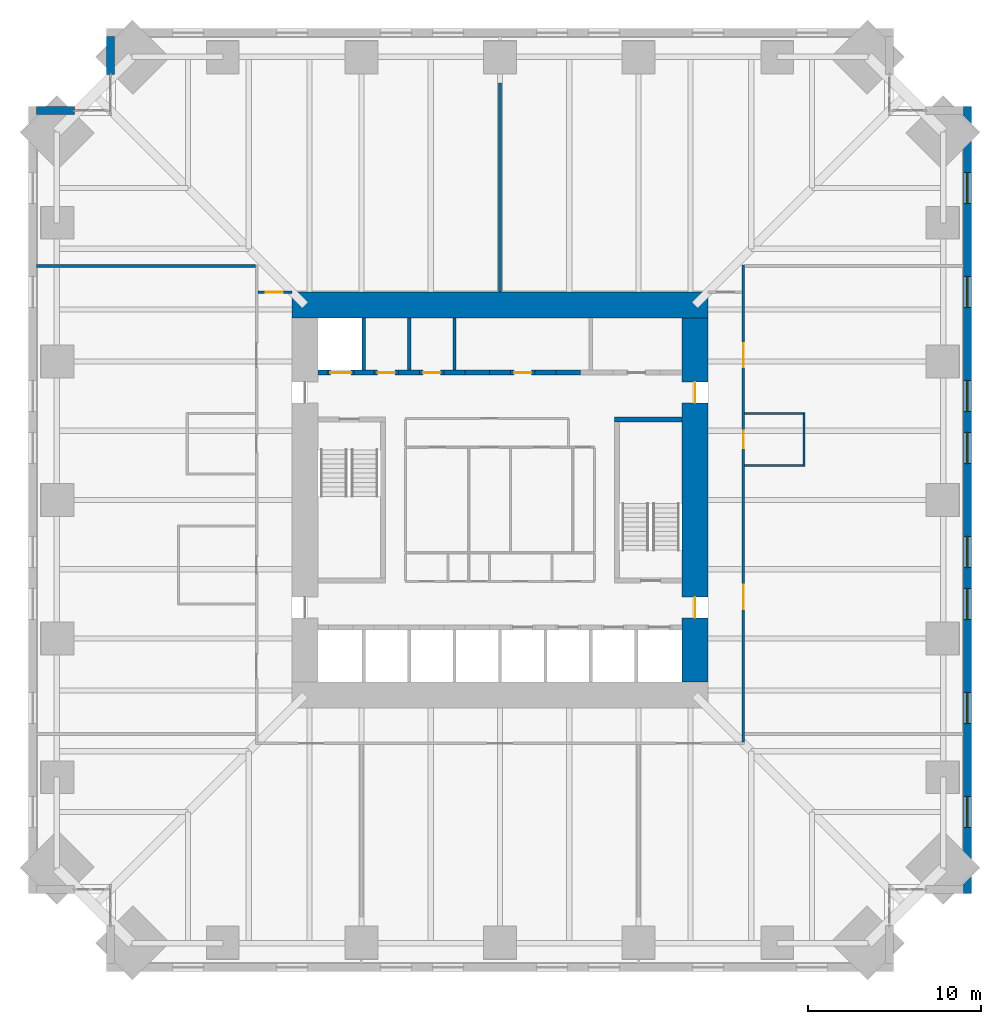
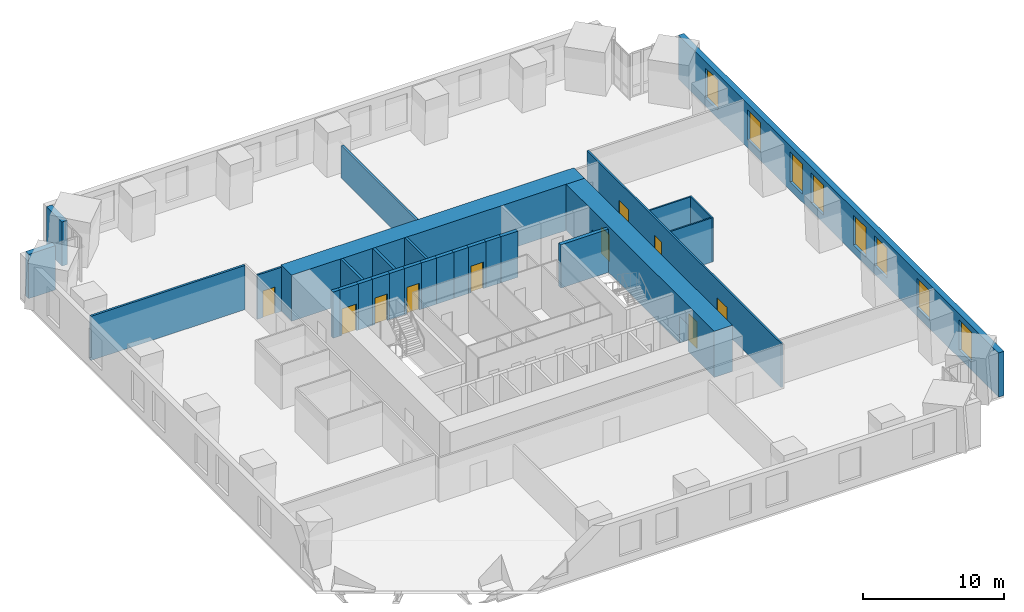
# One storey, part 14 of 16: 28 walls, 10 doors, 8 windows, 18 openings.
"""IFC4 building model written with IfcOpenShell, lengths in metres."""

from ifc_helpers import new_model, si_unit, direction, frame, frame_2d, origin, place, context, subcontext, project, spatial, rectangle, extrude, material, layer, layer_set, type_object, element, fill, save


model = new_model("IFC4")

# Units and contexts
model_context = context("Model", 3, precision=1e-05, world=origin(), true_north=direction((0.0, 1.0)))
body_context = subcontext(model_context, "Body", "Model", "MODEL_VIEW")
ifc_project = project(units=[si_unit("LENGTHUNIT", "METRE"), si_unit("AREAUNIT", "SQUARE_METRE"), si_unit("VOLUMEUNIT", "CUBIC_METRE"), si_unit("PLANEANGLEUNIT", "RADIAN"), si_unit("MASSUNIT", "GRAM", prefix="KILO")], contexts=[model_context])

# Site, building, storey
site_placement = place(None, origin())
site = spatial("IfcSite", under=ifc_project, at=site_placement, CompositionType="ELEMENT")
building_placement = place(site_placement, origin())
building = spatial("IfcBuilding", under=site, at=building_placement, Name="Peilmerk Tower", CompositionType="ELEMENT")
storey_placement = place(building_placement, frame((0.0, 0.0, 131.800048828125)))
storey = spatial("IfcBuildingStorey", under=building, at=storey_placement, Name="L26", CompositionType="ELEMENT", Elevation=131.800048828125)

# Wall, openings, windows
ifc_material_1 = material(Name="Precast concrete C45/55, board-marked finish", Category="concrete")
ifc_layer_1 = layer(ifc_material_1, 0.449951171875)
ifc_layer_set_1 = layer_set([ifc_layer_1], Name="Precast concrete C45/55, board-marked finish")
wall_type_1 = type_object("IfcWallType", Name="EW1 450 precast concrete facade wall, board-marked", PredefinedType="SOLIDWALL", material=ifc_layer_set_1)
wall_1_placement = place(storey_placement, frame((26.97509765625, -22.699951171875, 0.0), z_axis=(0.0, 0.0, 1.0), x_axis=(0.0, 1.0, 0.0)))
wall_1 = element("IfcWall", 1, at=wall_1_placement, inside=storey, type_object=wall_type_1, Name="Facade wall E L26", PredefinedType="SOLIDWALL", context=body_context, shape_type="SweptSolid", body=[
    extrude(rectangle(XDim=45.39990234375, YDim=0.449951171875, at=frame_2d((22.699951171875, 0.0))), origin(), (0.0, 0.0, 1.0), 3.829833984375),
])
opening_1_placement = place(wall_1_placement, frame((3.800048828125, 0.0, 0.699951171875)))
opening_1 = element("IfcOpeningElement", 2, at=opening_1_placement, cuts=wall_1, Name="Opening W1", PredefinedType="OPENING", context=body_context, shape_type="SweptSolid", body=[
    extrude(rectangle(XDim=1.800048828125, YDim=2.60009765625, at=frame_2d((0.89990234375, 1.300048828125))), frame((0.0, 0.23486328125, 0.0), z_axis=(0.0, -1.0, 0.0), x_axis=(1.0, 0.0, 0.0)), (0.0, 0.0, 1.0), 0.469970703125),
])
opening_2_placement = place(wall_1_placement, frame((9.800048828125, 0.0, 0.699951171875)))
opening_2 = element("IfcOpeningElement", 3, at=opening_2_placement, cuts=wall_1, Name="Opening W1", PredefinedType="OPENING", context=body_context, shape_type="SweptSolid", body=[
    extrude(rectangle(XDim=1.800048828125, YDim=2.60009765625, at=frame_2d((0.89990234375, 1.300048828125))), frame((0.0, 0.23486328125, 0.0), z_axis=(0.0, -1.0, 0.0), x_axis=(1.0, 0.0, 0.0)), (0.0, 0.0, 1.0), 0.469970703125),
])
opening_3_placement = place(wall_1_placement, frame((15.800048828125, 0.0, 0.699951171875)))
opening_3 = element("IfcOpeningElement", 4, at=opening_3_placement, cuts=wall_1, Name="Opening W1", PredefinedType="OPENING", context=body_context, shape_type="SweptSolid", body=[
    extrude(rectangle(XDim=1.800048828125, YDim=2.60009765625, at=frame_2d((0.89990234375, 1.300048828125))), frame((0.0, 0.23486328125, 0.0), z_axis=(0.0, -1.0, 0.0), x_axis=(1.0, 0.0, 0.0)), (0.0, 0.0, 1.0), 0.469970703125),
])
opening_4_placement = place(wall_1_placement, frame((18.800048828125, 0.0, 0.699951171875)))
opening_4 = element("IfcOpeningElement", 5, at=opening_4_placement, cuts=wall_1, Name="Opening W1", PredefinedType="OPENING", context=body_context, shape_type="SweptSolid", body=[
    extrude(rectangle(XDim=1.800048828125, YDim=2.60009765625, at=frame_2d((0.89990234375, 1.300048828125))), frame((0.0, 0.23486328125, 0.0), z_axis=(0.0, -1.0, 0.0), x_axis=(1.0, 0.0, 0.0)), (0.0, 0.0, 1.0), 0.469970703125),
])
opening_5_placement = place(wall_1_placement, frame((24.800048828125, 0.0, 0.699951171875)))
opening_5 = element("IfcOpeningElement", 6, at=opening_5_placement, cuts=wall_1, Name="Opening W1", PredefinedType="OPENING", context=body_context, shape_type="SweptSolid", body=[
    extrude(rectangle(XDim=1.800048828125, YDim=2.60009765625, at=frame_2d((0.89990234375, 1.300048828125))), frame((0.0, 0.23486328125, 0.0), z_axis=(0.0, -1.0, 0.0), x_axis=(1.0, 0.0, 0.0)), (0.0, 0.0, 1.0), 0.469970703125),
])
opening_6_placement = place(wall_1_placement, frame((27.800048828125, 0.0, 0.699951171875)))
opening_6 = element("IfcOpeningElement", 7, at=opening_6_placement, cuts=wall_1, Name="Opening W1", PredefinedType="OPENING", context=body_context, shape_type="SweptSolid", body=[
    extrude(rectangle(XDim=1.800048828125, YDim=2.60009765625, at=frame_2d((0.89990234375, 1.300048828125))), frame((0.0, 0.23486328125, 0.0), z_axis=(0.0, -1.0, 0.0), x_axis=(1.0, 0.0, 0.0)), (0.0, 0.0, 1.0), 0.469970703125),
])
opening_7_placement = place(wall_1_placement, frame((33.800048828125, 0.0, 0.699951171875)))
opening_7 = element("IfcOpeningElement", 8, at=opening_7_placement, cuts=wall_1, Name="Opening W1", PredefinedType="OPENING", context=body_context, shape_type="SweptSolid", body=[
    extrude(rectangle(XDim=1.800048828125, YDim=2.60009765625, at=frame_2d((0.89990234375, 1.300048828125))), frame((0.0, 0.23486328125, 0.0), z_axis=(0.0, -1.0, 0.0), x_axis=(1.0, 0.0, 0.0)), (0.0, 0.0, 1.0), 0.469970703125),
])
opening_8_placement = place(wall_1_placement, frame((39.800048828125, 0.0, 0.699951171875)))
opening_8 = element("IfcOpeningElement", 9, at=opening_8_placement, cuts=wall_1, Name="Opening W1", PredefinedType="OPENING", context=body_context, shape_type="SweptSolid", body=[
    extrude(rectangle(XDim=1.800048828125, YDim=2.60009765625, at=frame_2d((0.89990234375, 1.300048828125))), frame((0.0, 0.23486328125, 0.0), z_axis=(0.0, -1.0, 0.0), x_axis=(1.0, 0.0, 0.0)), (0.0, 0.0, 1.0), 0.469970703125),
])
ifc_material_2 = material(Name="Aluminium frame, clear double glazing", Category="aluminium")
window_type = type_object("IfcWindowType", Name="W1 1800x2600 office window", PartitioningType="SINGLE_PANEL", PredefinedType="WINDOW", material=ifc_material_2)
window_1_placement = place(opening_1_placement, origin())
window_1 = element("IfcWindow", 10, at=window_1_placement, inside=storey, type_object=window_type, Name="Window W1 L26", OverallHeight=2.60009765625, OverallWidth=1.800048828125, PartitioningType="SINGLE_PANEL", PredefinedType="WINDOW", context=body_context, shape_type="SweptSolid", body=[
    extrude(rectangle(XDim=1.800048828125, YDim=2.60009765625, at=frame_2d((0.89990234375, 1.300048828125))), frame((0.0, 0.030029296875, 0.0), z_axis=(0.0, -1.0, 0.0), x_axis=(1.0, 0.0, 0.0)), (0.0, 0.0, 1.0), 0.06005859375),
])
fill(opening_1, window_1)
window_2_placement = place(opening_2_placement, origin())
window_2 = element("IfcWindow", 11, at=window_2_placement, inside=storey, type_object=window_type, Name="Window W1 L26", OverallHeight=2.60009765625, OverallWidth=1.800048828125, PartitioningType="SINGLE_PANEL", PredefinedType="WINDOW", context=body_context, shape_type="SweptSolid", body=[
    extrude(rectangle(XDim=1.800048828125, YDim=2.60009765625, at=frame_2d((0.89990234375, 1.300048828125))), frame((0.0, 0.030029296875, 0.0), z_axis=(0.0, -1.0, 0.0), x_axis=(1.0, 0.0, 0.0)), (0.0, 0.0, 1.0), 0.06005859375),
])
fill(opening_2, window_2)
window_3_placement = place(opening_3_placement, origin())
window_3 = element("IfcWindow", 12, at=window_3_placement, inside=storey, type_object=window_type, Name="Window W1 L26", OverallHeight=2.60009765625, OverallWidth=1.800048828125, PartitioningType="SINGLE_PANEL", PredefinedType="WINDOW", context=body_context, shape_type="SweptSolid", body=[
    extrude(rectangle(XDim=1.800048828125, YDim=2.60009765625, at=frame_2d((0.89990234375, 1.300048828125))), frame((0.0, 0.030029296875, 0.0), z_axis=(0.0, -1.0, 0.0), x_axis=(1.0, 0.0, 0.0)), (0.0, 0.0, 1.0), 0.06005859375),
])
fill(opening_3, window_3)
window_4_placement = place(opening_4_placement, origin())
window_4 = element("IfcWindow", 13, at=window_4_placement, inside=storey, type_object=window_type, Name="Window W1 L26", OverallHeight=2.60009765625, OverallWidth=1.800048828125, PartitioningType="SINGLE_PANEL", PredefinedType="WINDOW", context=body_context, shape_type="SweptSolid", body=[
    extrude(rectangle(XDim=1.800048828125, YDim=2.60009765625, at=frame_2d((0.89990234375, 1.300048828125))), frame((0.0, 0.030029296875, 0.0), z_axis=(0.0, -1.0, 0.0), x_axis=(1.0, 0.0, 0.0)), (0.0, 0.0, 1.0), 0.06005859375),
])
fill(opening_4, window_4)
window_5_placement = place(opening_5_placement, origin())
window_5 = element("IfcWindow", 14, at=window_5_placement, inside=storey, type_object=window_type, Name="Window W1 L26", OverallHeight=2.60009765625, OverallWidth=1.800048828125, PartitioningType="SINGLE_PANEL", PredefinedType="WINDOW", context=body_context, shape_type="SweptSolid", body=[
    extrude(rectangle(XDim=1.800048828125, YDim=2.60009765625, at=frame_2d((0.89990234375, 1.300048828125))), frame((0.0, 0.030029296875, 0.0), z_axis=(0.0, -1.0, 0.0), x_axis=(1.0, 0.0, 0.0)), (0.0, 0.0, 1.0), 0.06005859375),
])
fill(opening_5, window_5)
window_6_placement = place(opening_6_placement, origin())
window_6 = element("IfcWindow", 15, at=window_6_placement, inside=storey, type_object=window_type, Name="Window W1 L26", OverallHeight=2.60009765625, OverallWidth=1.800048828125, PartitioningType="SINGLE_PANEL", PredefinedType="WINDOW", context=body_context, shape_type="SweptSolid", body=[
    extrude(rectangle(XDim=1.800048828125, YDim=2.60009765625, at=frame_2d((0.89990234375, 1.300048828125))), frame((0.0, 0.030029296875, 0.0), z_axis=(0.0, -1.0, 0.0), x_axis=(1.0, 0.0, 0.0)), (0.0, 0.0, 1.0), 0.06005859375),
])
fill(opening_6, window_6)
window_7_placement = place(opening_7_placement, origin())
window_7 = element("IfcWindow", 16, at=window_7_placement, inside=storey, type_object=window_type, Name="Window W1 L26", OverallHeight=2.60009765625, OverallWidth=1.800048828125, PartitioningType="SINGLE_PANEL", PredefinedType="WINDOW", context=body_context, shape_type="SweptSolid", body=[
    extrude(rectangle(XDim=1.800048828125, YDim=2.60009765625, at=frame_2d((0.89990234375, 1.300048828125))), frame((0.0, 0.030029296875, 0.0), z_axis=(0.0, -1.0, 0.0), x_axis=(1.0, 0.0, 0.0)), (0.0, 0.0, 1.0), 0.06005859375),
])
fill(opening_7, window_7)
window_8_placement = place(opening_8_placement, origin())
window_8 = element("IfcWindow", 17, at=window_8_placement, inside=storey, type_object=window_type, Name="Window W1 L26", OverallHeight=2.60009765625, OverallWidth=1.800048828125, PartitioningType="SINGLE_PANEL", PredefinedType="WINDOW", context=body_context, shape_type="SweptSolid", body=[
    extrude(rectangle(XDim=1.800048828125, YDim=2.60009765625, at=frame_2d((0.89990234375, 1.300048828125))), frame((0.0, 0.030029296875, 0.0), z_axis=(0.0, -1.0, 0.0), x_axis=(1.0, 0.0, 0.0)), (0.0, 0.0, 1.0), 0.06005859375),
])
fill(opening_8, window_8)

# Walls
for number, where, z_axis, x_axis, name in (
    (18, (-22.47509765625, 24.5537109375, 0.0), (0.0, 0.0, 1.0), (0.0, 1.0, 0.0), "Facade wall NWA L26"),
    (19, (-24.5537109375, 22.47509765625, 0.0), (0.0, 0.0, 1.0), (-1.0, 0.0, 0.0), "Facade wall NWB L26"),
):
    element("IfcWall", number, at=place(storey_placement, frame(where, z_axis=z_axis, x_axis=x_axis)), inside=storey, type_object=wall_type_1, Name=name, PredefinedType="SOLIDWALL", context=body_context, shape_type="SweptSolid", body=[
        extrude(rectangle(XDim=2.1962890625, YDim=0.449951171875, at=frame_2d((1.09814453125, 0.0))), origin(), (0.0, 0.0, 1.0), 3.829833984375),
    ])

# Wall, openings, doors
ifc_material_3 = material(Name="Calcium silicate block", Category="masonry")
ifc_layer_2 = layer(ifc_material_3, 0.14990234375)
ifc_layer_set_2 = layer_set([ifc_layer_2], Name="Calcium silicate block")
wall_type_2 = type_object("IfcWallType", Name="IW1 150 corridor partition, EI 60", PredefinedType="PARTITIONING", material=ifc_layer_set_2)
wall_2_placement = place(storey_placement, frame((14.050048828125, -13.97509765625, 0.0), z_axis=(0.0, 0.0, 1.0), x_axis=(0.0, 1.0, 0.0)))
wall_2 = element("IfcWall", 20, at=wall_2_placement, inside=storey, type_object=wall_type_2, Name="Corridor wall E L26", PredefinedType="PARTITIONING", context=body_context, shape_type="SweptSolid", body=[
    extrude(rectangle(XDim=27.550048828125, YDim=0.14990234375, at=frame_2d((13.77490234375, 0.0))), origin(), (0.0, 0.0, 1.0), 3.829833984375),
])
opening_9_placement = place(wall_2_placement, frame((7.675048828125, 0.0, 0.0)))
opening_9 = element("IfcOpeningElement", 21, at=opening_9_placement, cuts=wall_2, Name="Opening D8", PredefinedType="OPENING", context=body_context, shape_type="SweptSolid", body=[
    extrude(rectangle(XDim=1.39990234375, YDim=2.300048828125, at=frame_2d((0.699951171875, 1.14990234375))), frame((0.0, 0.0849609375, 0.0), z_axis=(0.0, -1.0, 0.0), x_axis=(1.0, 0.0, 0.0)), (0.0, 0.0, 1.0), 0.169921875),
])
opening_10_placement = place(wall_2_placement, frame((21.625, 0.0, 0.0)))
opening_10 = element("IfcOpeningElement", 22, at=opening_10_placement, cuts=wall_2, Name="Opening D8", PredefinedType="OPENING", context=body_context, shape_type="SweptSolid", body=[
    extrude(rectangle(XDim=1.39990234375, YDim=2.300048828125, at=frame_2d((0.699951171875, 1.14990234375))), frame((0.0, 0.0849609375, 0.0), z_axis=(0.0, -1.0, 0.0), x_axis=(1.0, 0.0, 0.0)), (0.0, 0.0, 1.0), 0.169921875),
])
opening_11_placement = place(wall_2_placement, frame((16.97509765625, 0.0, 0.0)))
opening_11 = element("IfcOpeningElement", 23, at=opening_11_placement, cuts=wall_2, Name="Opening D1", PredefinedType="OPENING", context=body_context, shape_type="SweptSolid", body=[
    extrude(rectangle(XDim=1.0, YDim=2.300048828125, at=frame_2d((0.5, 1.14990234375))), frame((0.0, 0.0849609375, 0.0), z_axis=(0.0, -1.0, 0.0), x_axis=(1.0, 0.0, 0.0)), (0.0, 0.0, 1.0), 0.169921875),
])
ifc_material_4 = material(Name="Timber door in steel frame", Category="steel")
door_type_1 = type_object("IfcDoorType", Name="D1 1000x2300 room door, EI2 30", OperationType="SINGLE_SWING_LEFT", PredefinedType="DOOR", material=ifc_material_4)
door_1_placement = place(opening_11_placement, frame((1.0, 0.0, 0.0), z_axis=(0.0, 0.0, 1.0), x_axis=(-1.0, 0.0, 0.0)))
door_1 = element("IfcDoor", 24, at=door_1_placement, inside=storey, type_object=door_type_1, Name="Door Focus room L26", OperationType="SINGLE_SWING_LEFT", OverallHeight=2.300048828125, OverallWidth=1.0, PredefinedType="DOOR", context=body_context, shape_type="SweptSolid", body=[
    extrude(rectangle(XDim=1.0, YDim=2.300048828125, at=frame_2d((0.5, 1.14990234375))), frame((0.0, 0.02490234375, 0.0), z_axis=(0.0, -1.0, 0.0), x_axis=(1.0, 0.0, 0.0)), (0.0, 0.0, 1.0), 0.050048828125),
])
fill(opening_11, door_1)
door_type_2 = type_object("IfcDoorType", Name="D8 1400x2300 leaf-and-a-half door, EI2 30", OperationType="DOUBLE_DOOR_SINGLE_SWING", PredefinedType="DOOR", material=ifc_material_4)
door_2_placement = place(opening_9_placement, frame((1.39990234375, 0.0, 0.0), z_axis=(0.0, 0.0, 1.0), x_axis=(-1.0, 0.0, 0.0)))
door_2 = element("IfcDoor", 25, at=door_2_placement, inside=storey, type_object=door_type_2, Name="Door Tenant suite L26", OperationType="DOUBLE_DOOR_SINGLE_SWING", OverallHeight=2.300048828125, OverallWidth=1.39990234375, PredefinedType="DOOR", context=body_context, shape_type="SweptSolid", body=[
    extrude(rectangle(XDim=1.39990234375, YDim=2.300048828125, at=frame_2d((0.699951171875, 1.14990234375))), frame((0.0, 0.02490234375, 0.0), z_axis=(0.0, -1.0, 0.0), x_axis=(1.0, 0.0, 0.0)), (0.0, 0.0, 1.0), 0.050048828125),
])
fill(opening_9, door_2)
door_3_placement = place(opening_10_placement, frame((1.39990234375, 0.0, 0.0), z_axis=(0.0, 0.0, 1.0), x_axis=(-1.0, 0.0, 0.0)))
door_3 = element("IfcDoor", 26, at=door_3_placement, inside=storey, type_object=door_type_2, Name="Door Tenant suite L26", OperationType="DOUBLE_DOOR_SINGLE_SWING", OverallHeight=2.300048828125, OverallWidth=1.39990234375, PredefinedType="DOOR", context=body_context, shape_type="SweptSolid", body=[
    extrude(rectangle(XDim=1.39990234375, YDim=2.300048828125, at=frame_2d((0.699951171875, 1.14990234375))), frame((0.0, 0.02490234375, 0.0), z_axis=(0.0, -1.0, 0.0), x_axis=(1.0, 0.0, 0.0)), (0.0, 0.0, 1.0), 0.050048828125),
])
fill(opening_10, door_3)

# Wall, opening, door
wall_3_placement = place(storey_placement, frame((-13.97509765625, 12.0, 0.0), z_axis=(0.0, 0.0, 1.0), x_axis=(1.0, 0.0, 0.0)))
wall_3 = element("IfcWall", 27, at=wall_3_placement, inside=storey, type_object=wall_type_2, Name="Corridor wall NW L26", PredefinedType="PARTITIONING", context=body_context, shape_type="SweptSolid", body=[
    extrude(rectangle(XDim=1.97509765625, YDim=0.14990234375, at=frame_2d((0.987548828125, 0.0))), origin(), (0.0, 0.0, 1.0), 3.829833984375),
])
opening_12_placement = place(wall_3_placement, frame((0.449951171875, 0.0, 0.0)))
opening_12 = element("IfcOpeningElement", 28, at=opening_12_placement, cuts=wall_3, Name="Opening D1", PredefinedType="OPENING", context=body_context, shape_type="SweptSolid", body=[
    extrude(rectangle(XDim=1.0, YDim=2.300048828125, at=frame_2d((0.5, 1.14990234375))), frame((0.0, 0.0849609375, 0.0), z_axis=(0.0, -1.0, 0.0), x_axis=(1.0, 0.0, 0.0)), (0.0, 0.0, 1.0), 0.169921875),
])
door_4_placement = place(opening_12_placement, origin())
door_4 = element("IfcDoor", 29, at=door_4_placement, inside=storey, type_object=door_type_1, Name="Door Tenant suite L26", OperationType="SINGLE_SWING_LEFT", OverallHeight=2.300048828125, OverallWidth=1.0, PredefinedType="DOOR", context=body_context, shape_type="SweptSolid", body=[
    extrude(rectangle(XDim=1.0, YDim=2.300048828125, at=frame_2d((0.5, 1.14990234375))), frame((0.0, 0.02490234375, 0.0), z_axis=(0.0, -1.0, 0.0), x_axis=(1.0, 0.0, 0.0)), (0.0, 0.0, 1.0), 0.050048828125),
])
fill(opening_12, door_4)

# Walls
ifc_material_5 = material(Name="Concrete C35/45", Category="concrete")
ifc_layer_3 = layer(ifc_material_5, 0.300048828125)
ifc_layer_set_3 = layer_set([ifc_layer_3], Name="Concrete C35/45")
wall_type_3 = type_object("IfcWallType", Name="IW3 300 concrete stair enclosure wall, EI 120", PredefinedType="SOLIDWALL", material=ifc_layer_set_3)
wall_4_placement = place(storey_placement, frame((6.60009765625, 4.64990234375, 0.0), z_axis=(0.0, 0.0, 1.0), x_axis=(1.0, 0.0, 0.0)))
element("IfcWall", 30, at=wall_4_placement, inside=storey, type_object=wall_type_3, Name="Stair 2 enclosure L26", PredefinedType="SOLIDWALL", context=body_context, shape_type="SweptSolid", body=[
    extrude(rectangle(XDim=3.89990234375, YDim=0.300048828125, at=frame_2d((1.949951171875, 0.0))), origin(), (0.0, 0.0, 1.0), 3.75),
])
ifc_material_6 = material(Name="Plasterboard on steel studs, double boarded with mineral wool", Category="steel")
ifc_layer_4 = layer(ifc_material_6, 0.125)
ifc_layer_set_4 = layer_set([ifc_layer_4], Name="Plasterboard on steel studs, double boarded with mineral wool")
wall_type_4 = type_object("IfcWallType", Name="IW7 125 acoustic partition, EI 30", PredefinedType="PARTITIONING", material=ifc_layer_set_4)
wall_5_placement = place(storey_placement, frame((17.550048828125, 1.9375, 0.0), z_axis=(0.0, 0.0, 1.0), x_axis=(0.0, 1.0, 0.0)))
element("IfcWall", 31, at=wall_5_placement, inside=storey, type_object=wall_type_4, Name="Acoustic partition Focus room L26", PredefinedType="PARTITIONING", context=body_context, shape_type="SweptSolid", body=[
    extrude(rectangle(XDim=3.125, YDim=0.125, at=frame_2d((1.5625, 0.0))), origin(), (0.0, 0.0, 1.0), 3.829833984375),
])
for number, where, z_axis, x_axis, name in (
    (32, (14.125, 2.0, 0.0), (0.0, 0.0, 1.0), (1.0, 0.0, 0.0), "Acoustic partition Focus room L26"),
    (33, (14.125, 5.0, 0.0), (0.0, 0.0, 1.0), (1.0, 0.0, 0.0), "Acoustic partition Focus room L26"),
):
    element("IfcWall", number, at=place(storey_placement, frame(where, z_axis=z_axis, x_axis=x_axis)), inside=storey, type_object=wall_type_4, Name=name, PredefinedType="PARTITIONING", context=body_context, shape_type="SweptSolid", body=[
        extrude(rectangle(XDim=3.362548828125, YDim=0.125, at=frame_2d((1.68115234375, 0.0))), origin(), (0.0, 0.0, 1.0), 3.829833984375),
    ])
ifc_layer_5 = layer(ifc_material_3, 0.175048828125)
ifc_layer_set_5 = layer_set([ifc_layer_5], Name="Calcium silicate block")
wall_type_5 = type_object("IfcWallType", Name="IW8 175 tenant separating wall, EI 60", PredefinedType="PARTITIONING", material=ifc_layer_set_5)
wall_6_placement = place(storey_placement, frame((-26.75, 13.5, 0.0), z_axis=(0.0, 0.0, 1.0), x_axis=(1.0, 0.0, 0.0)))
element("IfcWall", 34, at=wall_6_placement, inside=storey, type_object=wall_type_5, Name="Tenant separating wall NW L26", PredefinedType="PARTITIONING", context=body_context, shape_type="SweptSolid", body=[
    extrude(rectangle(XDim=12.625, YDim=0.175048828125, at=frame_2d((6.3125, 0.0))), origin(), (0.0, 0.0, 1.0), 3.829833984375),
])
wall_7_placement = place(storey_placement, frame((0.0, 12.0, 0.0), z_axis=(0.0, 0.0, 1.0), x_axis=(0.0, 1.0, 0.0)))
element("IfcWall", 35, at=wall_7_placement, inside=storey, type_object=wall_type_5, Name="Tenant separating wall N1 L26", PredefinedType="PARTITIONING", context=body_context, shape_type="SweptSolid", body=[
    extrude(rectangle(XDim=12.077392578125, YDim=0.175048828125, at=frame_2d((6.03857421875, 0.0))), origin(), (0.0, 0.0, 1.0), 2.829833984375),
])
ifc_layer_6 = layer(ifc_material_3, 0.199951171875)
ifc_layer_set_6 = layer_set([ifc_layer_6], Name="Calcium silicate block")
wall_type_6 = type_object("IfcWallType", Name="SH1 200 shaft dividing wall, EI 120", PredefinedType="PARTITIONING", material=ifc_layer_set_6)
for number, where, z_axis, x_axis, name in (
    (36, (-7.875, 7.5, 0.0), (0.0, 0.0, 1.0), (0.0, 1.0, 0.0), "Shaft wall N FL1 L26"),
    (37, (-5.25, 7.5, 0.0), (0.0, 0.0, 1.0), (0.0, 1.0, 0.0), "Shaft wall N A1 L26"),
    (38, (-2.625, 7.5, 0.0), (0.0, 0.0, 1.0), (0.0, 1.0, 0.0), "Shaft wall N A2 L26"),
):
    element("IfcWall", number, at=place(storey_placement, frame(where, z_axis=z_axis, x_axis=x_axis)), inside=storey, type_object=wall_type_6, Name=name, PredefinedType="PARTITIONING", context=body_context, shape_type="SweptSolid", body=[
        extrude(rectangle(XDim=3.0, YDim=0.199951171875, at=frame_2d((1.5, 0.0))), origin(), (0.0, 0.0, 1.0), 4.0),
    ])

# Wall, opening, door
ifc_layer_7 = layer(ifc_material_3, 0.300048828125)
ifc_layer_set_7 = layer_set([ifc_layer_7], Name="Calcium silicate block")
wall_type_7 = type_object("IfcWallType", Name="SH2 300 lift landing door panel, EI 120", PredefinedType="PARTITIONING", material=ifc_layer_set_7)
wall_8_placement = place(storey_placement, frame((-9.9375, 7.35009765625, 0.0), z_axis=(0.0, 0.0, 1.0), x_axis=(1.0, 0.0, 0.0)))
wall_8 = element("IfcWall", 39, at=wall_8_placement, inside=storey, type_object=wall_type_7, Name="Lift door panel N FL1 L26", PredefinedType="PARTITIONING", context=body_context, shape_type="SweptSolid", body=[
    extrude(rectangle(XDim=1.5, YDim=0.300048828125, at=frame_2d((0.75, 0.0))), origin(), (0.0, 0.0, 1.0), 4.0),
])
opening_13_placement = place(wall_8_placement, frame((0.14990234375, 0.0, 0.0)))
opening_13 = element("IfcOpeningElement", 40, at=opening_13_placement, cuts=wall_8, Name="Opening LD2", PredefinedType="OPENING", context=body_context, shape_type="SweptSolid", body=[
    extrude(rectangle(XDim=1.199951171875, YDim=2.300048828125, at=frame_2d((0.60009765625, 1.14990234375))), frame((0.0, 0.159912109375, 0.0), z_axis=(0.0, -1.0, 0.0), x_axis=(1.0, 0.0, 0.0)), (0.0, 0.0, 1.0), 0.320068359375),
])
ifc_material_7 = material(Name="Stainless steel landing door", Category="steel")
door_type_3 = type_object("IfcDoorType", Name="LD2 1200x2300 lift landing door, sliding, EI2 60", OperationType="SLIDING_TO_LEFT", PredefinedType="DOOR", material=ifc_material_7)
door_5_placement = place(opening_13_placement, frame((1.199951171875, 0.0, 0.0), z_axis=(0.0, 0.0, 1.0), x_axis=(-1.0, 0.0, 0.0)))
door_5 = element("IfcDoor", 41, at=door_5_placement, inside=storey, type_object=door_type_3, Name="Lift landing door FL1 L26", OperationType="SLIDING_TO_LEFT", OverallHeight=2.300048828125, OverallWidth=1.199951171875, PredefinedType="DOOR", context=body_context, shape_type="SweptSolid", body=[
    extrude(rectangle(XDim=1.199951171875, YDim=2.300048828125, at=frame_2d((0.60009765625, 1.14990234375))), frame((0.0, 0.02490234375, 0.0), z_axis=(0.0, -1.0, 0.0), x_axis=(1.0, 0.0, 0.0)), (0.0, 0.0, 1.0), 0.050048828125),
])
fill(opening_13, door_5)

wall_9_placement = place(storey_placement, frame((-7.262451171875, 7.35009765625, 0.0), z_axis=(0.0, 0.0, 1.0), x_axis=(1.0, 0.0, 0.0)))
wall_9 = element("IfcWall", 42, at=wall_9_placement, inside=storey, type_object=wall_type_7, Name="Lift door panel N A1 L26", PredefinedType="PARTITIONING", context=body_context, shape_type="SweptSolid", body=[
    extrude(rectangle(XDim=1.39990234375, YDim=0.300048828125, at=frame_2d((0.699951171875, 0.0))), origin(), (0.0, 0.0, 1.0), 4.0),
])
opening_14_placement = place(wall_9_placement, frame((0.199951171875, 0.0, 0.0)))
opening_14 = element("IfcOpeningElement", 43, at=opening_14_placement, cuts=wall_9, Name="Opening D10", PredefinedType="OPENING", context=body_context, shape_type="SweptSolid", body=[
    extrude(rectangle(XDim=1.0, YDim=2.300048828125, at=frame_2d((0.5, 1.14990234375))), frame((0.0, 0.159912109375, 0.0), z_axis=(0.0, -1.0, 0.0), x_axis=(1.0, 0.0, 0.0)), (0.0, 0.0, 1.0), 0.320068359375),
])
ifc_material_8 = material(Name="Steel door in steel frame", Category="steel")
door_type_4 = type_object("IfcDoorType", Name="D10 1000x2300 core room door, EI2 60", OperationType="SINGLE_SWING_RIGHT", PredefinedType="DOOR", material=ifc_material_8)
door_6_placement = place(opening_14_placement, origin())
door_6 = element("IfcDoor", 44, at=door_6_placement, inside=storey, type_object=door_type_4, Name="Door Staff WC L26", OperationType="SINGLE_SWING_RIGHT", OverallHeight=2.300048828125, OverallWidth=1.0, PredefinedType="DOOR", context=body_context, shape_type="SweptSolid", body=[
    extrude(rectangle(XDim=1.0, YDim=2.300048828125, at=frame_2d((0.5, 1.14990234375))), frame((0.0, 0.02490234375, 0.0), z_axis=(0.0, -1.0, 0.0), x_axis=(1.0, 0.0, 0.0)), (0.0, 0.0, 1.0), 0.050048828125),
])
fill(opening_14, door_6)

wall_10_placement = place(storey_placement, frame((-4.637451171875, 7.35009765625, 0.0), z_axis=(0.0, 0.0, 1.0), x_axis=(1.0, 0.0, 0.0)))
wall_10 = element("IfcWall", 45, at=wall_10_placement, inside=storey, type_object=wall_type_7, Name="Lift door panel N A2 L26", PredefinedType="PARTITIONING", context=body_context, shape_type="SweptSolid", body=[
    extrude(rectangle(XDim=1.39990234375, YDim=0.300048828125, at=frame_2d((0.699951171875, 0.0))), origin(), (0.0, 0.0, 1.0), 4.0),
])
opening_15_placement = place(wall_10_placement, frame((0.199951171875, 0.0, 0.0)))
opening_15 = element("IfcOpeningElement", 46, at=opening_15_placement, cuts=wall_10, Name="Opening D10", PredefinedType="OPENING", context=body_context, shape_type="SweptSolid", body=[
    extrude(rectangle(XDim=1.0, YDim=2.300048828125, at=frame_2d((0.5, 1.14990234375))), frame((0.0, 0.159912109375, 0.0), z_axis=(0.0, -1.0, 0.0), x_axis=(1.0, 0.0, 0.0)), (0.0, 0.0, 1.0), 0.320068359375),
])
door_7_placement = place(opening_15_placement, origin())
door_7 = element("IfcDoor", 47, at=door_7_placement, inside=storey, type_object=door_type_4, Name="Door Electrical room L26", OperationType="SINGLE_SWING_RIGHT", OverallHeight=2.300048828125, OverallWidth=1.0, PredefinedType="DOOR", context=body_context, shape_type="SweptSolid", body=[
    extrude(rectangle(XDim=1.0, YDim=2.300048828125, at=frame_2d((0.5, 1.14990234375))), frame((0.0, 0.02490234375, 0.0), z_axis=(0.0, -1.0, 0.0), x_axis=(1.0, 0.0, 0.0)), (0.0, 0.0, 1.0), 0.050048828125),
])
fill(opening_15, door_7)

# Wall
wall_11_placement = place(storey_placement, frame((-2.012451171875, 7.35009765625, 0.0), z_axis=(0.0, 0.0, 1.0), x_axis=(1.0, 0.0, 0.0)))
element("IfcWall", 48, at=wall_11_placement, inside=storey, type_object=wall_type_7, Name="Lift door panel N A3 L26", PredefinedType="PARTITIONING", context=body_context, shape_type="SweptSolid", body=[
    extrude(rectangle(XDim=1.39990234375, YDim=0.300048828125, at=frame_2d((0.699951171875, 0.0))), origin(), (0.0, 0.0, 1.0), 4.0),
])

# Wall, opening, door
wall_12_placement = place(storey_placement, frame((0.612548828125, 7.35009765625, 0.0), z_axis=(0.0, 0.0, 1.0), x_axis=(1.0, 0.0, 0.0)))
wall_12 = element("IfcWall", 49, at=wall_12_placement, inside=storey, type_object=wall_type_7, Name="Lift door panel N S1 L26", PredefinedType="PARTITIONING", context=body_context, shape_type="SweptSolid", body=[
    extrude(rectangle(XDim=1.39990234375, YDim=0.300048828125, at=frame_2d((0.699951171875, 0.0))), origin(), (0.0, 0.0, 1.0), 4.0),
])
opening_16_placement = place(wall_12_placement, frame((0.199951171875, 0.0, 0.0)))
opening_16 = element("IfcOpeningElement", 50, at=opening_16_placement, cuts=wall_12, Name="Opening D10", PredefinedType="OPENING", context=body_context, shape_type="SweptSolid", body=[
    extrude(rectangle(XDim=1.0, YDim=2.300048828125, at=frame_2d((0.5, 1.14990234375))), frame((0.0, 0.159912109375, 0.0), z_axis=(0.0, -1.0, 0.0), x_axis=(1.0, 0.0, 0.0)), (0.0, 0.0, 1.0), 0.320068359375),
])
door_8_placement = place(opening_16_placement, origin())
door_8 = element("IfcDoor", 51, at=door_8_placement, inside=storey, type_object=door_type_4, Name="Door Plant room L26", OperationType="SINGLE_SWING_RIGHT", OverallHeight=2.300048828125, OverallWidth=1.0, PredefinedType="DOOR", context=body_context, shape_type="SweptSolid", body=[
    extrude(rectangle(XDim=1.0, YDim=2.300048828125, at=frame_2d((0.5, 1.14990234375))), frame((0.0, 0.02490234375, 0.0), z_axis=(0.0, -1.0, 0.0), x_axis=(1.0, 0.0, 0.0)), (0.0, 0.0, 1.0), 0.050048828125),
])
fill(opening_16, door_8)

# Walls
wall_13_placement = place(storey_placement, frame((3.237548828125, 7.35009765625, 0.0), z_axis=(0.0, 0.0, 1.0), x_axis=(1.0, 0.0, 0.0)))
element("IfcWall", 52, at=wall_13_placement, inside=storey, type_object=wall_type_7, Name="Lift door panel N S2 L26", PredefinedType="PARTITIONING", context=body_context, shape_type="SweptSolid", body=[
    extrude(rectangle(XDim=1.39990234375, YDim=0.300048828125, at=frame_2d((0.699951171875, 0.0))), origin(), (0.0, 0.0, 1.0), 4.0),
])
ifc_material_9 = material(Name="Concrete C55/67", Category="concrete")
ifc_layer_8 = layer(ifc_material_9, 1.5)
ifc_layer_set_8 = layer_set([ifc_layer_8], Name="Concrete C55/67")
wall_type_8 = type_object("IfcWallType", Name="SW1 1500 core wall", PredefinedType="SHEAR", material=ifc_layer_set_8)
wall_14_placement = place(storey_placement, frame((-12.0, 11.25, 0.0), z_axis=(0.0, 0.0, 1.0), x_axis=(1.0, 0.0, 0.0)))
element("IfcWall", 53, at=wall_14_placement, inside=storey, type_object=wall_type_8, Name="Core wall N L26", PredefinedType="SHEAR", context=body_context, shape_type="SweptSolid", body=[
    extrude(rectangle(XDim=24.0, YDim=1.5, at=frame_2d((12.0, 0.0))), origin(), (0.0, 0.0, 1.0), 4.0),
])

# Wall, openings, doors
wall_15_placement = place(storey_placement, frame((11.25, 10.5, 0.0), z_axis=(0.0, 0.0, 1.0), x_axis=(0.0, -1.0, 0.0)))
wall_15 = element("IfcWall", 54, at=wall_15_placement, inside=storey, type_object=wall_type_8, Name="Core wall E L26", PredefinedType="SHEAR", context=body_context, shape_type="SweptSolid", body=[
    extrude(rectangle(XDim=21.0, YDim=1.5, at=frame_2d((10.5, 0.0))), origin(), (0.0, 0.0, 1.0), 4.0),
])
opening_17_placement = place(wall_15_placement, frame((3.699951171875, 0.0, 0.0)))
opening_17 = element("IfcOpeningElement", 55, at=opening_17_placement, cuts=wall_15, Name="Opening D3", PredefinedType="OPENING", context=body_context, shape_type="SweptSolid", body=[
    extrude(rectangle(XDim=1.199951171875, YDim=2.300048828125, at=frame_2d((0.60009765625, 1.14990234375))), frame((0.0, 0.760009765625, 0.0), z_axis=(0.0, -1.0, 0.0), x_axis=(1.0, 0.0, 0.0)), (0.0, 0.0, 1.0), 1.52001953125),
])
opening_18_placement = place(wall_15_placement, frame((16.10009765625, 0.0, 0.0)))
opening_18 = element("IfcOpeningElement", 56, at=opening_18_placement, cuts=wall_15, Name="Opening D3", PredefinedType="OPENING", context=body_context, shape_type="SweptSolid", body=[
    extrude(rectangle(XDim=1.199951171875, YDim=2.300048828125, at=frame_2d((0.60009765625, 1.14990234375))), frame((0.0, 0.760009765625, 0.0), z_axis=(0.0, -1.0, 0.0), x_axis=(1.0, 0.0, 0.0)), (0.0, 0.0, 1.0), 1.52001953125),
])
door_type_5 = type_object("IfcDoorType", Name="D3 1200x2300 core door, EI2 60", OperationType="SINGLE_SWING_LEFT", PredefinedType="DOOR", material=ifc_material_8)
door_9_placement = place(opening_17_placement, frame((1.199951171875, 0.0, 0.0), z_axis=(0.0, 0.0, 1.0), x_axis=(-1.0, 0.0, 0.0)))
door_9 = element("IfcDoor", 57, at=door_9_placement, inside=storey, type_object=door_type_5, Name="Core door L26", OperationType="SINGLE_SWING_LEFT", OverallHeight=2.300048828125, OverallWidth=1.199951171875, PredefinedType="DOOR", context=body_context, shape_type="SweptSolid", body=[
    extrude(rectangle(XDim=1.199951171875, YDim=2.300048828125, at=frame_2d((0.60009765625, 1.14990234375))), frame((0.0, 0.02490234375, 0.0), z_axis=(0.0, -1.0, 0.0), x_axis=(1.0, 0.0, 0.0)), (0.0, 0.0, 1.0), 0.050048828125),
])
fill(opening_17, door_9)
door_10_placement = place(opening_18_placement, frame((1.199951171875, 0.0, 0.0), z_axis=(0.0, 0.0, 1.0), x_axis=(-1.0, 0.0, 0.0)))
door_10 = element("IfcDoor", 58, at=door_10_placement, inside=storey, type_object=door_type_5, Name="Core door L26", OperationType="SINGLE_SWING_LEFT", OverallHeight=2.300048828125, OverallWidth=1.199951171875, PredefinedType="DOOR", context=body_context, shape_type="SweptSolid", body=[
    extrude(rectangle(XDim=1.199951171875, YDim=2.300048828125, at=frame_2d((0.60009765625, 1.14990234375))), frame((0.0, 0.02490234375, 0.0), z_axis=(0.0, -1.0, 0.0), x_axis=(1.0, 0.0, 0.0)), (0.0, 0.0, 1.0), 0.050048828125),
])
fill(opening_18, door_10)

# Walls
ifc_layer_9 = layer(ifc_material_9, 0.300048828125)
ifc_layer_set_9 = layer_set([ifc_layer_9], Name="Concrete C55/67")
wall_type_9 = type_object("IfcWallType", Name="SW2 300 lift bank pier", PredefinedType="SHEAR", material=ifc_layer_set_9)
wall_16_placement = place(storey_placement, frame((-10.5, 7.35009765625, 0.0), z_axis=(0.0, 0.0, 1.0), x_axis=(1.0, 0.0, 0.0)))
element("IfcWall", 59, at=wall_16_placement, inside=storey, type_object=wall_type_9, Name="Lift bank pier N L26", PredefinedType="SHEAR", context=body_context, shape_type="SweptSolid", body=[
    extrude(rectangle(XDim=0.5625, YDim=0.300048828125, at=frame_2d((0.28125, 0.0))), origin(), (0.0, 0.0, 1.0), 4.0),
])
wall_17_placement = place(storey_placement, frame((-8.4375, 7.35009765625, 0.0), z_axis=(0.0, 0.0, 1.0), x_axis=(1.0, 0.0, 0.0)))
element("IfcWall", 60, at=wall_17_placement, inside=storey, type_object=wall_type_9, Name="Lift bank pier N L26", PredefinedType="SHEAR", context=body_context, shape_type="SweptSolid", body=[
    extrude(rectangle(XDim=1.175048828125, YDim=0.300048828125, at=frame_2d((0.58740234375, 0.0))), origin(), (0.0, 0.0, 1.0), 4.0),
])
for number, where, z_axis, x_axis, name in (
    (61, (-5.862548828125, 7.35009765625, 0.0), (0.0, 0.0, 1.0), (1.0, 0.0, 0.0), "Lift bank pier N L26"),
    (62, (-3.237548828125, 7.35009765625, 0.0), (0.0, 0.0, 1.0), (1.0, 0.0, 0.0), "Lift bank pier N L26"),
    (63, (-0.612548828125, 7.35009765625, 0.0), (0.0, 0.0, 1.0), (1.0, 0.0, 0.0), "Lift bank pier N L26"),
    (64, (2.012451171875, 7.35009765625, 0.0), (0.0, 0.0, 1.0), (1.0, 0.0, 0.0), "Lift bank pier N L26"),
):
    element("IfcWall", number, at=place(storey_placement, frame(where, z_axis=z_axis, x_axis=x_axis)), inside=storey, type_object=wall_type_9, Name=name, PredefinedType="SHEAR", context=body_context, shape_type="SweptSolid", body=[
        extrude(rectangle(XDim=1.22509765625, YDim=0.300048828125, at=frame_2d((0.612548828125, 0.0))), origin(), (0.0, 0.0, 1.0), 4.0),
    ])

save(model, "model.ifc")
